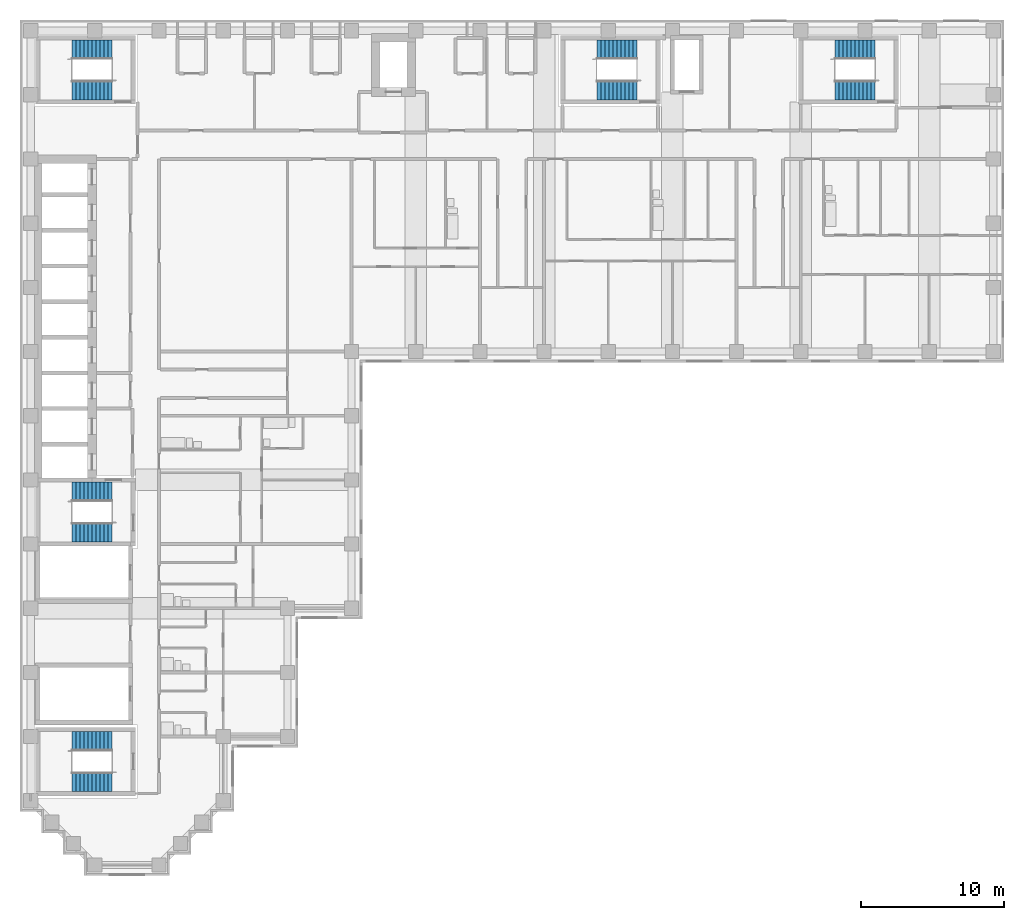
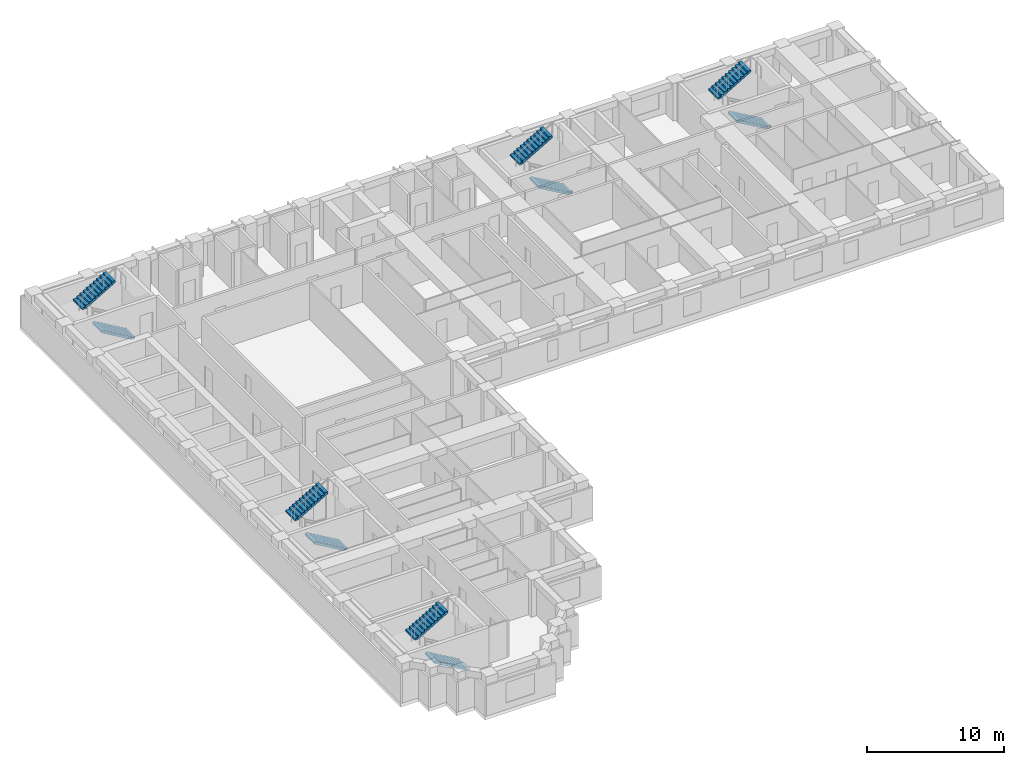
# One storey, part 10 of 12: 10 stair flights, 5 elements without a shape of their own.
"""IFC4 building model written with IfcOpenShell, lengths in metres."""

from ifc_helpers import new_model, si_unit, direction, frame, origin, place, context, subcontext, project, spatial, polyline, outline, extrude, material, type_object, element, aggregate, save


model = new_model("IFC4")

# Units and contexts
model_context = context("Model", 3, precision=1e-05, world=origin(), true_north=direction((0.0, 1.0)))
body_context = subcontext(model_context, "Body", "Model", "MODEL_VIEW")
ifc_project = project(units=[si_unit("LENGTHUNIT", "METRE"), si_unit("AREAUNIT", "SQUARE_METRE"), si_unit("VOLUMEUNIT", "CUBIC_METRE"), si_unit("PLANEANGLEUNIT", "RADIAN"), si_unit("MASSUNIT", "GRAM", prefix="KILO")], contexts=[model_context])

# Site, building, storey
site_placement = place(None, origin())
site = spatial("IfcSite", under=ifc_project, at=site_placement, CompositionType="ELEMENT")
building_placement = place(site_placement, origin())
building = spatial("IfcBuilding", under=site, at=building_placement, Name="Firuza Court", CompositionType="ELEMENT")
storey_placement = place(building_placement, frame((0.0, 0.0, 148.39990234375)))
storey = spatial("IfcBuildingStorey", under=building, at=storey_placement, Name="L37", CompositionType="ELEMENT", Elevation=148.39990234375)

# Stair, stair flights
ifc_material_1 = material(Name="Concrete C40/50 precast", Category="concrete")
stair_type = type_object("IfcStairType", Name="Stair 1350 x 3600 2 flights", PredefinedType="HALF_TURN_STAIR", material=ifc_material_1)
stair_1_placement = place(storey_placement, origin())
stair_1 = element("IfcStair", 1, at=stair_1_placement, inside=storey, type_object=stair_type, Name="Stair 1 L37", PredefinedType="HALF_TURN_STAIR")
ifc_material_2 = material(Name="Concrete C40/50 precast", Category="concrete")
stair_flight_type = type_object("IfcStairFlightType", Name="Flight 1350 riser 163.6", PredefinedType="STRAIGHT", material=ifc_material_2)
stair_flight_1_placement = place(storey_placement, frame((42.5, 54.324951171875, 0.0), z_axis=(0.0, 0.0, 1.0), x_axis=(-1.0, 0.0, 0.0)))
stair_flight_1 = element("IfcStairFlight", 2, at=stair_flight_1_placement, type_object=stair_flight_type, Name="S1 flight 1", NumberOfRisers=11, NumberOfTreads=10, PredefinedType="STRAIGHT", RiserHeight=0.163636364, TreadLength=0.28, context=body_context, shape_type="SweptSolid", body=[
    extrude(outline(polyline([(0.0, 0.0), (0.0, 0.16357421875), (0.280029296875, 0.16357421875), (0.280029296875, 0.327392578125), (0.56005859375, 0.327392578125), (0.56005859375, 0.490966796875), (0.840087890625, 0.490966796875), (0.840087890625, 0.654541015625), (1.1201171875, 0.654541015625), (1.1201171875, 0.818115234375), (1.39990234375, 0.818115234375), (1.39990234375, 0.98193359375), (1.679931640625, 0.98193359375), (1.679931640625, 1.1455078125), (1.9599609375, 1.1455078125), (1.9599609375, 1.30908203125), (2.239990234375, 1.30908203125), (2.239990234375, 1.47265625), (2.52001953125, 1.47265625), (2.52001953125, 1.636474609375), (2.800048828125, 1.636474609375), (2.800048828125, 1.800048828125), (2.800048828125, 1.462646484375), (0.297119140625, 0.0), (0.0, 0.0)])), frame((0.0, 0.675048828125, 0.0), z_axis=(0.0, -1.0, 0.0), x_axis=(1.0, 0.0, 0.0)), (0.0, 0.0, 1.0), 1.35009765625),
])
stair_flight_2_placement = place(storey_placement, frame((39.699951171875, 57.175048828125, 1.800048828125), z_axis=(0.0, 0.0, 1.0), x_axis=(1.0, 0.0, 0.0)))
stair_flight_2 = element("IfcStairFlight", 3, at=stair_flight_2_placement, type_object=stair_flight_type, Name="S1 flight 2", NumberOfRisers=11, NumberOfTreads=10, PredefinedType="STRAIGHT", RiserHeight=0.163636364, TreadLength=0.28, context=body_context, shape_type="SweptSolid", body=[
    extrude(outline(polyline([(0.0, 0.0), (0.0, 0.16357421875), (0.280029296875, 0.16357421875), (0.280029296875, 0.327392578125), (0.56005859375, 0.327392578125), (0.56005859375, 0.490966796875), (0.840087890625, 0.490966796875), (0.840087890625, 0.654541015625), (1.1201171875, 0.654541015625), (1.1201171875, 0.818115234375), (1.39990234375, 0.818115234375), (1.39990234375, 0.98193359375), (1.679931640625, 0.98193359375), (1.679931640625, 1.1455078125), (1.9599609375, 1.1455078125), (1.9599609375, 1.30908203125), (2.239990234375, 1.30908203125), (2.239990234375, 1.47265625), (2.52001953125, 1.47265625), (2.52001953125, 1.636474609375), (2.800048828125, 1.636474609375), (2.800048828125, 1.800048828125), (2.800048828125, 1.462646484375), (0.297119140625, 0.0), (0.0, 0.0)])), frame((0.0, 0.675048828125, 0.0), z_axis=(0.0, -1.0, 0.0), x_axis=(1.0, 0.0, 0.0)), (0.0, 0.0, 1.0), 1.35009765625),
])
aggregate(stair_1, [stair_flight_1, stair_flight_2])

stair_2_placement = place(storey_placement, origin())
stair_2 = element("IfcStair", 4, at=stair_2_placement, inside=storey, type_object=stair_type, Name="Stair 2 L37", PredefinedType="HALF_TURN_STAIR")
stair_flight_3_placement = place(storey_placement, frame((5.699951171875, 23.324951171875, 0.0), z_axis=(0.0, 0.0, 1.0), x_axis=(-1.0, 0.0, 0.0)))
stair_flight_3 = element("IfcStairFlight", 5, at=stair_flight_3_placement, type_object=stair_flight_type, Name="S2 flight 1", NumberOfRisers=11, NumberOfTreads=10, PredefinedType="STRAIGHT", RiserHeight=0.163636364, TreadLength=0.28, context=body_context, shape_type="SweptSolid", body=[
    extrude(outline(polyline([(0.0, 0.0), (0.0, 0.16357421875), (0.280029296875, 0.16357421875), (0.280029296875, 0.327392578125), (0.56005859375, 0.327392578125), (0.56005859375, 0.490966796875), (0.840087890625, 0.490966796875), (0.840087890625, 0.654541015625), (1.1201171875, 0.654541015625), (1.1201171875, 0.818115234375), (1.39990234375, 0.818115234375), (1.39990234375, 0.98193359375), (1.679931640625, 0.98193359375), (1.679931640625, 1.1455078125), (1.9599609375, 1.1455078125), (1.9599609375, 1.30908203125), (2.239990234375, 1.30908203125), (2.239990234375, 1.47265625), (2.52001953125, 1.47265625), (2.52001953125, 1.636474609375), (2.800048828125, 1.636474609375), (2.800048828125, 1.800048828125), (2.800048828125, 1.462646484375), (0.297119140625, 0.0), (0.0, 0.0)])), frame((0.0, 0.675048828125, 0.0), z_axis=(0.0, -1.0, 0.0), x_axis=(1.0, 0.0, 0.0)), (0.0, 0.0, 1.0), 1.35009765625),
])
stair_flight_4_placement = place(storey_placement, frame((2.89990234375, 26.175048828125, 1.800048828125), z_axis=(0.0, 0.0, 1.0), x_axis=(1.0, 0.0, 0.0)))
stair_flight_4 = element("IfcStairFlight", 6, at=stair_flight_4_placement, type_object=stair_flight_type, Name="S2 flight 2", NumberOfRisers=11, NumberOfTreads=10, PredefinedType="STRAIGHT", RiserHeight=0.163636364, TreadLength=0.28, context=body_context, shape_type="SweptSolid", body=[
    extrude(outline(polyline([(0.0, 0.0), (0.0, 0.16357421875), (0.280029296875, 0.16357421875), (0.280029296875, 0.327392578125), (0.56005859375, 0.327392578125), (0.56005859375, 0.490966796875), (0.840087890625, 0.490966796875), (0.840087890625, 0.654541015625), (1.1201171875, 0.654541015625), (1.1201171875, 0.818115234375), (1.39990234375, 0.818115234375), (1.39990234375, 0.98193359375), (1.679931640625, 0.98193359375), (1.679931640625, 1.1455078125), (1.9599609375, 1.1455078125), (1.9599609375, 1.30908203125), (2.239990234375, 1.30908203125), (2.239990234375, 1.47265625), (2.52001953125, 1.47265625), (2.52001953125, 1.636474609375), (2.800048828125, 1.636474609375), (2.800048828125, 1.800048828125), (2.800048828125, 1.462646484375), (0.297119140625, 0.0), (0.0, 0.0)])), frame((0.0, 0.675048828125, 0.0), z_axis=(0.0, -1.0, 0.0), x_axis=(1.0, 0.0, 0.0)), (0.0, 0.0, 1.0), 1.35009765625),
])
aggregate(stair_2, [stair_flight_3, stair_flight_4])

stair_3_placement = place(storey_placement, origin())
stair_3 = element("IfcStair", 7, at=stair_3_placement, inside=storey, type_object=stair_type, Name="Stair 3 L37", PredefinedType="HALF_TURN_STAIR")
stair_flight_5_placement = place(storey_placement, frame((5.699951171875, 54.324951171875, 0.0), z_axis=(0.0, 0.0, 1.0), x_axis=(-1.0, 0.0, 0.0)))
stair_flight_5 = element("IfcStairFlight", 8, at=stair_flight_5_placement, type_object=stair_flight_type, Name="S3 flight 1", NumberOfRisers=11, NumberOfTreads=10, PredefinedType="STRAIGHT", RiserHeight=0.163636364, TreadLength=0.28, context=body_context, shape_type="SweptSolid", body=[
    extrude(outline(polyline([(0.0, 0.0), (0.0, 0.16357421875), (0.280029296875, 0.16357421875), (0.280029296875, 0.327392578125), (0.56005859375, 0.327392578125), (0.56005859375, 0.490966796875), (0.840087890625, 0.490966796875), (0.840087890625, 0.654541015625), (1.1201171875, 0.654541015625), (1.1201171875, 0.818115234375), (1.39990234375, 0.818115234375), (1.39990234375, 0.98193359375), (1.679931640625, 0.98193359375), (1.679931640625, 1.1455078125), (1.9599609375, 1.1455078125), (1.9599609375, 1.30908203125), (2.239990234375, 1.30908203125), (2.239990234375, 1.47265625), (2.52001953125, 1.47265625), (2.52001953125, 1.636474609375), (2.800048828125, 1.636474609375), (2.800048828125, 1.800048828125), (2.800048828125, 1.462646484375), (0.297119140625, 0.0), (0.0, 0.0)])), frame((0.0, 0.675048828125, 0.0), z_axis=(0.0, -1.0, 0.0), x_axis=(1.0, 0.0, 0.0)), (0.0, 0.0, 1.0), 1.35009765625),
])
stair_flight_6_placement = place(storey_placement, frame((2.89990234375, 57.175048828125, 1.800048828125), z_axis=(0.0, 0.0, 1.0), x_axis=(1.0, 0.0, 0.0)))
stair_flight_6 = element("IfcStairFlight", 9, at=stair_flight_6_placement, type_object=stair_flight_type, Name="S3 flight 2", NumberOfRisers=11, NumberOfTreads=10, PredefinedType="STRAIGHT", RiserHeight=0.163636364, TreadLength=0.28, context=body_context, shape_type="SweptSolid", body=[
    extrude(outline(polyline([(0.0, 0.0), (0.0, 0.16357421875), (0.280029296875, 0.16357421875), (0.280029296875, 0.327392578125), (0.56005859375, 0.327392578125), (0.56005859375, 0.490966796875), (0.840087890625, 0.490966796875), (0.840087890625, 0.654541015625), (1.1201171875, 0.654541015625), (1.1201171875, 0.818115234375), (1.39990234375, 0.818115234375), (1.39990234375, 0.98193359375), (1.679931640625, 0.98193359375), (1.679931640625, 1.1455078125), (1.9599609375, 1.1455078125), (1.9599609375, 1.30908203125), (2.239990234375, 1.30908203125), (2.239990234375, 1.47265625), (2.52001953125, 1.47265625), (2.52001953125, 1.636474609375), (2.800048828125, 1.636474609375), (2.800048828125, 1.800048828125), (2.800048828125, 1.462646484375), (0.297119140625, 0.0), (0.0, 0.0)])), frame((0.0, 0.675048828125, 0.0), z_axis=(0.0, -1.0, 0.0), x_axis=(1.0, 0.0, 0.0)), (0.0, 0.0, 1.0), 1.35009765625),
])
aggregate(stair_3, [stair_flight_5, stair_flight_6])

stair_4_placement = place(storey_placement, origin())
stair_4 = element("IfcStair", 10, at=stair_4_placement, inside=storey, type_object=stair_type, Name="Stair 4 L37", PredefinedType="HALF_TURN_STAIR")
stair_flight_7_placement = place(storey_placement, frame((59.199951171875, 54.324951171875, 0.0), z_axis=(0.0, 0.0, 1.0), x_axis=(-1.0, 0.0, 0.0)))
stair_flight_7 = element("IfcStairFlight", 11, at=stair_flight_7_placement, type_object=stair_flight_type, Name="S4 flight 1", NumberOfRisers=11, NumberOfTreads=10, PredefinedType="STRAIGHT", RiserHeight=0.163636364, TreadLength=0.28, context=body_context, shape_type="SweptSolid", body=[
    extrude(outline(polyline([(0.0, 0.0), (0.0, 0.16357421875), (0.280029296875, 0.16357421875), (0.280029296875, 0.327392578125), (0.56005859375, 0.327392578125), (0.56005859375, 0.490966796875), (0.840087890625, 0.490966796875), (0.840087890625, 0.654541015625), (1.1201171875, 0.654541015625), (1.1201171875, 0.818115234375), (1.39990234375, 0.818115234375), (1.39990234375, 0.98193359375), (1.679931640625, 0.98193359375), (1.679931640625, 1.1455078125), (1.9599609375, 1.1455078125), (1.9599609375, 1.30908203125), (2.239990234375, 1.30908203125), (2.239990234375, 1.47265625), (2.52001953125, 1.47265625), (2.52001953125, 1.636474609375), (2.800048828125, 1.636474609375), (2.800048828125, 1.800048828125), (2.800048828125, 1.462646484375), (0.297119140625, 0.0), (0.0, 0.0)])), frame((0.0, 0.675048828125, 0.0), z_axis=(0.0, -1.0, 0.0), x_axis=(1.0, 0.0, 0.0)), (0.0, 0.0, 1.0), 1.35009765625),
])
stair_flight_8_placement = place(storey_placement, frame((56.39990234375, 57.175048828125, 1.800048828125), z_axis=(0.0, 0.0, 1.0), x_axis=(1.0, 0.0, 0.0)))
stair_flight_8 = element("IfcStairFlight", 12, at=stair_flight_8_placement, type_object=stair_flight_type, Name="S4 flight 2", NumberOfRisers=11, NumberOfTreads=10, PredefinedType="STRAIGHT", RiserHeight=0.163636364, TreadLength=0.28, context=body_context, shape_type="SweptSolid", body=[
    extrude(outline(polyline([(0.0, 0.0), (0.0, 0.16357421875), (0.280029296875, 0.16357421875), (0.280029296875, 0.327392578125), (0.56005859375, 0.327392578125), (0.56005859375, 0.490966796875), (0.840087890625, 0.490966796875), (0.840087890625, 0.654541015625), (1.1201171875, 0.654541015625), (1.1201171875, 0.818115234375), (1.39990234375, 0.818115234375), (1.39990234375, 0.98193359375), (1.679931640625, 0.98193359375), (1.679931640625, 1.1455078125), (1.9599609375, 1.1455078125), (1.9599609375, 1.30908203125), (2.239990234375, 1.30908203125), (2.239990234375, 1.47265625), (2.52001953125, 1.47265625), (2.52001953125, 1.636474609375), (2.800048828125, 1.636474609375), (2.800048828125, 1.800048828125), (2.800048828125, 1.462646484375), (0.297119140625, 0.0), (0.0, 0.0)])), frame((0.0, 0.675048828125, 0.0), z_axis=(0.0, -1.0, 0.0), x_axis=(1.0, 0.0, 0.0)), (0.0, 0.0, 1.0), 1.35009765625),
])
aggregate(stair_4, [stair_flight_7, stair_flight_8])

stair_5_placement = place(storey_placement, origin())
stair_5 = element("IfcStair", 13, at=stair_5_placement, inside=storey, type_object=stair_type, Name="Stair 5 L37", PredefinedType="HALF_TURN_STAIR")
stair_flight_9_placement = place(storey_placement, frame((5.699951171875, 5.824951171875, 0.0), z_axis=(0.0, 0.0, 1.0), x_axis=(-1.0, 0.0, 0.0)))
stair_flight_9 = element("IfcStairFlight", 14, at=stair_flight_9_placement, type_object=stair_flight_type, Name="S5 flight 1", NumberOfRisers=11, NumberOfTreads=10, PredefinedType="STRAIGHT", RiserHeight=0.163636364, TreadLength=0.28, context=body_context, shape_type="SweptSolid", body=[
    extrude(outline(polyline([(0.0, 0.0), (0.0, 0.16357421875), (0.280029296875, 0.16357421875), (0.280029296875, 0.327392578125), (0.56005859375, 0.327392578125), (0.56005859375, 0.490966796875), (0.840087890625, 0.490966796875), (0.840087890625, 0.654541015625), (1.1201171875, 0.654541015625), (1.1201171875, 0.818115234375), (1.39990234375, 0.818115234375), (1.39990234375, 0.98193359375), (1.679931640625, 0.98193359375), (1.679931640625, 1.1455078125), (1.9599609375, 1.1455078125), (1.9599609375, 1.30908203125), (2.239990234375, 1.30908203125), (2.239990234375, 1.47265625), (2.52001953125, 1.47265625), (2.52001953125, 1.636474609375), (2.800048828125, 1.636474609375), (2.800048828125, 1.800048828125), (2.800048828125, 1.462646484375), (0.297119140625, 0.0), (0.0, 0.0)])), frame((0.0, 0.675048828125, 0.0), z_axis=(0.0, -1.0, 0.0), x_axis=(1.0, 0.0, 0.0)), (0.0, 0.0, 1.0), 1.35009765625),
])
stair_flight_10_placement = place(storey_placement, frame((2.89990234375, 8.675048828125, 1.800048828125), z_axis=(0.0, 0.0, 1.0), x_axis=(1.0, 0.0, 0.0)))
stair_flight_10 = element("IfcStairFlight", 15, at=stair_flight_10_placement, type_object=stair_flight_type, Name="S5 flight 2", NumberOfRisers=11, NumberOfTreads=10, PredefinedType="STRAIGHT", RiserHeight=0.163636364, TreadLength=0.28, context=body_context, shape_type="SweptSolid", body=[
    extrude(outline(polyline([(0.0, 0.0), (0.0, 0.16357421875), (0.280029296875, 0.16357421875), (0.280029296875, 0.327392578125), (0.56005859375, 0.327392578125), (0.56005859375, 0.490966796875), (0.840087890625, 0.490966796875), (0.840087890625, 0.654541015625), (1.1201171875, 0.654541015625), (1.1201171875, 0.818115234375), (1.39990234375, 0.818115234375), (1.39990234375, 0.98193359375), (1.679931640625, 0.98193359375), (1.679931640625, 1.1455078125), (1.9599609375, 1.1455078125), (1.9599609375, 1.30908203125), (2.239990234375, 1.30908203125), (2.239990234375, 1.47265625), (2.52001953125, 1.47265625), (2.52001953125, 1.636474609375), (2.800048828125, 1.636474609375), (2.800048828125, 1.800048828125), (2.800048828125, 1.462646484375), (0.297119140625, 0.0), (0.0, 0.0)])), frame((0.0, 0.675048828125, 0.0), z_axis=(0.0, -1.0, 0.0), x_axis=(1.0, 0.0, 0.0)), (0.0, 0.0, 1.0), 1.35009765625),
])
aggregate(stair_5, [stair_flight_9, stair_flight_10])

save(model, "model.ifc")
